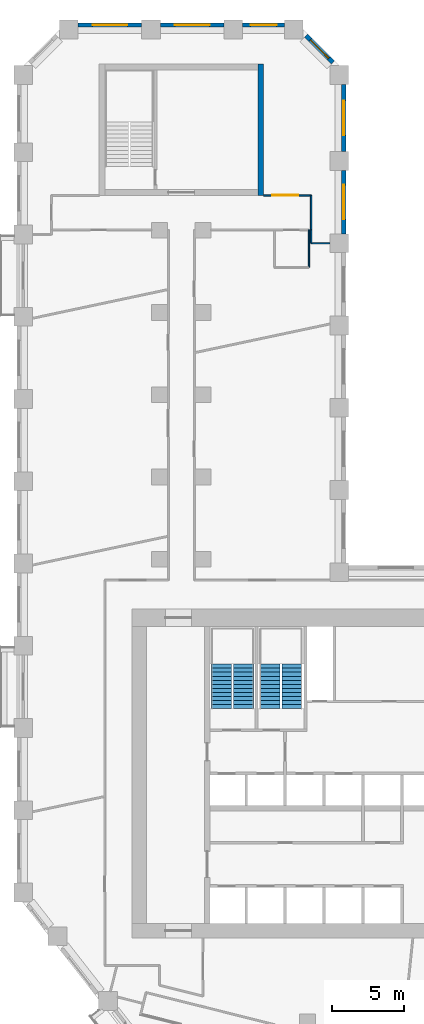
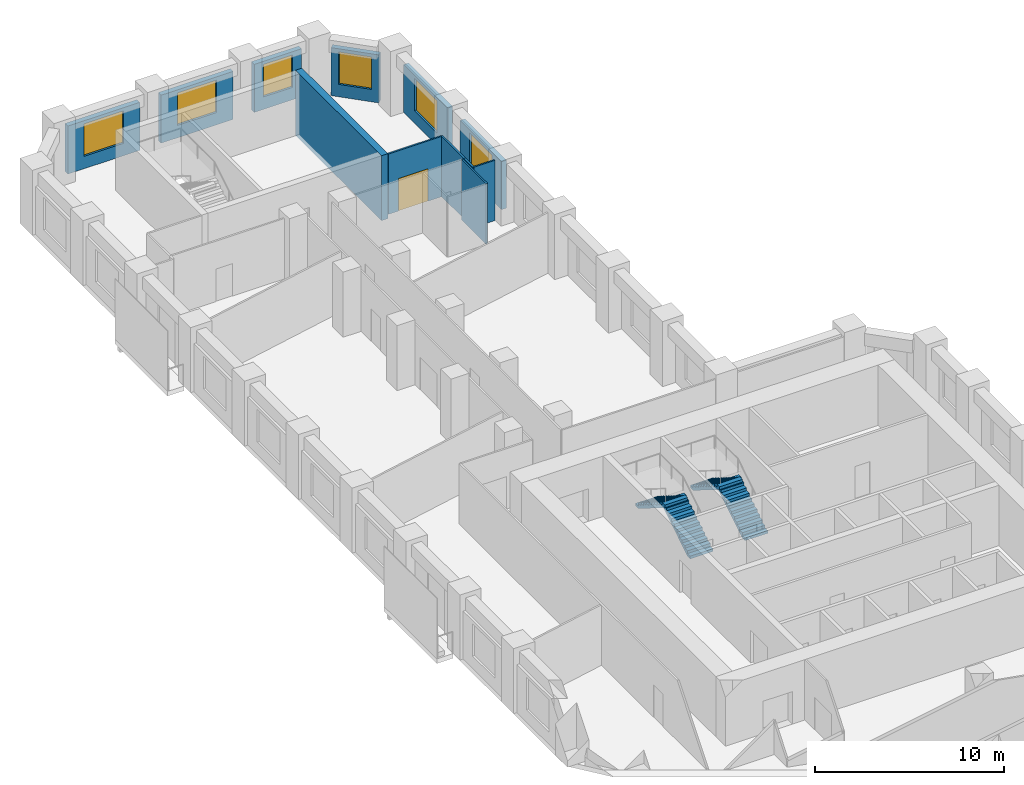
# One storey, part 9 of 11: 12 walls, 6 windows, 4 stair flights, 1 door, 7 openings, 2 elements without a shape of their own.
"""IFC4 building model written with IfcOpenShell, lengths in metres."""

from ifc_helpers import new_model, si_unit, direction, frame, frame_2d, origin, place, context, subcontext, project, spatial, polyline, rectangle, outline, extrude, material, layer, layer_set, type_object, element, fill, aggregate, save


model = new_model("IFC4")

# Units and contexts
model_context = context("Model", 3, precision=1e-05, world=origin(), true_north=direction((0.0, 1.0)))
body_context = subcontext(model_context, "Body", "Model", "MODEL_VIEW")
ifc_project = project(units=[si_unit("LENGTHUNIT", "METRE"), si_unit("AREAUNIT", "SQUARE_METRE"), si_unit("VOLUMEUNIT", "CUBIC_METRE"), si_unit("PLANEANGLEUNIT", "RADIAN"), si_unit("MASSUNIT", "GRAM", prefix="KILO")], contexts=[model_context])

# Site, building, storey
site_placement = place(None, origin())
site = spatial("IfcSite", under=ifc_project, at=site_placement, CompositionType="ELEMENT")
building_placement = place(site_placement, origin())
building = spatial("IfcBuilding", under=site, at=building_placement, Name="Meshkara Civic Tower", CompositionType="ELEMENT")
storey_placement = place(building_placement, frame((0.0, 0.0, 139.199951171875)))
storey = spatial("IfcBuildingStorey", under=building, at=storey_placement, Name="L31", CompositionType="ELEMENT", Elevation=139.199951171875)

# Wall
ifc_material_1 = material(Name="Corridor wall 100")
ifc_layer_1 = layer(ifc_material_1, 0.10009765625)
ifc_layer_set_1 = layer_set([ifc_layer_1], Name="Corridor wall 100")
wall_type_1 = type_object("IfcWallType", Name="Corridor wall 100", PredefinedType="PARTITIONING", material=ifc_layer_set_1)
wall_1_placement = place(storey_placement, frame((20.39990234375, 63.169921875, 0.0), z_axis=(0.0, 0.0, 1.0), x_axis=(0.0, 1.0, 0.0)))
element("IfcWall", 1, at=wall_1_placement, inside=storey, type_object=wall_type_1, Name="L31-W016", PredefinedType="PARTITIONING", context=body_context, shape_type="SweptSolid", body=[
    extrude(rectangle(XDim=2.400146484375, YDim=0.10009765625, at=frame_2d((1.2001953125, 0.0))), origin(), (0.0, 0.0, 1.0), 3.900146484375),
])

# Wall, opening, door
wall_2_placement = place(storey_placement, frame((20.39990234375, 65.570068359375, 0.0), z_axis=(0.0, 0.0, 1.0), x_axis=(-1.0, 0.0, 0.0)))
wall_2 = element("IfcWall", 2, at=wall_2_placement, inside=storey, type_object=wall_type_1, Name="L31-W017", PredefinedType="PARTITIONING", context=body_context, shape_type="SweptSolid", body=[
    extrude(rectangle(XDim=3.2998046875, YDim=0.10009765625, at=frame_2d((1.64990234375, 0.0))), origin(), (0.0, 0.0, 1.0), 3.900146484375),
])
opening_1_placement = place(wall_2_placement, frame((0.8798828125, 0.0, 0.0)))
opening_1 = element("IfcOpeningElement", 3, at=opening_1_placement, cuts=wall_2, Name="Opening L31-D024", PredefinedType="OPENING", context=body_context, shape_type="SweptSolid", body=[
    extrude(rectangle(XDim=1.800048828125, YDim=2.10009765625, at=frame_2d((0.89990234375, 1.050048828125))), frame((0.0, 0.06005859375, 0.0), z_axis=(0.0, -1.0, 0.0), x_axis=(1.0, 0.0, 0.0)), (0.0, 0.0, 1.0), 0.1201171875),
])
ifc_material_2 = material(Name="Door pair 1800 x 2100")
door_type = type_object("IfcDoorType", Name="Door pair 1800 x 2100", OperationType="SINGLE_SWING_LEFT", PredefinedType="DOOR", material=ifc_material_2)
door_placement = place(opening_1_placement, origin())
door = element("IfcDoor", 4, at=door_placement, inside=storey, type_object=door_type, Name="L31-D024", OperationType="DOUBLE_DOOR_SINGLE_SWING", OverallHeight=2.10009765625, OverallWidth=1.800048828125, PredefinedType="DOOR", context=body_context, shape_type="SweptSolid", body=[
    extrude(rectangle(XDim=1.800048828125, YDim=2.10009765625, at=frame_2d((0.89990234375, 1.050048828125))), frame((0.0, 0.02490234375, 0.0), z_axis=(0.0, -1.0, 0.0), x_axis=(1.0, 0.0, 0.0)), (0.0, 0.0, 1.0), 0.050048828125),
])
fill(opening_1, door)

# Wall, opening, window
ifc_material_3 = material(Name="Insulated infill panel with bronze anodised aluminium cladding", Category="aluminium")
ifc_layer_2 = layer(ifc_material_3, 0.300048828125)
ifc_layer_set_2 = layer_set([ifc_layer_2], Name="EXTERNAL INFILL WALL 300")
wall_type_2 = type_object("IfcWallType", Name="EXTERNAL INFILL WALL 300", PredefinedType="SOLIDWALL", material=ifc_layer_set_2)
wall_3_placement = place(storey_placement, frame((22.64990234375, 62.89990234375, 0.0), z_axis=(0.0, 0.0, 1.0), x_axis=(0.0, 1.0, 0.0)))
wall_3 = element("IfcWall", 5, at=wall_3_placement, inside=storey, type_object=wall_type_2, Name="External wall", PredefinedType="SOLIDWALL", context=body_context, shape_type="SweptSolid", body=[
    extrude(rectangle(XDim=4.400146484375, YDim=0.300048828125, at=frame_2d((2.2001953125, 0.0))), origin(), (0.0, 0.0, 1.0), 3.10009765625),
])
opening_2_placement = place(wall_3_placement, frame((1.0, 0.0, 0.800048828125)))
opening_2 = element("IfcOpeningElement", 6, at=opening_2_placement, cuts=wall_3, Name="Opening W7", PredefinedType="OPENING", context=body_context, shape_type="SweptSolid", body=[
    extrude(rectangle(XDim=2.39990234375, YDim=2.10009765625, at=frame_2d((1.199951171875, 1.050048828125))), frame((0.0, 0.159912109375, 0.0), z_axis=(0.0, -1.0, 0.0), x_axis=(1.0, 0.0, 0.0)), (0.0, 0.0, 1.0), 0.320068359375),
])
ifc_material_4 = material(Name="Tinted double glazing", Category="glass")
window_type_1 = type_object("IfcWindowType", Name="WINDOW 2400x2100", PartitioningType="DOUBLE_PANEL_VERTICAL", PredefinedType="WINDOW", material=ifc_material_4)
window_1_placement = place(opening_2_placement, origin())
window_1 = element("IfcWindow", 7, at=window_1_placement, inside=storey, type_object=window_type_1, Name="Window", OverallHeight=2.10009765625, OverallWidth=2.39990234375, PartitioningType="DOUBLE_PANEL_VERTICAL", PredefinedType="WINDOW", context=body_context, shape_type="SweptSolid", body=[
    extrude(rectangle(XDim=2.39990234375, YDim=2.10009765625, at=frame_2d((1.199951171875, 1.050048828125))), frame((0.0, 0.030029296875, 0.0), z_axis=(0.0, -1.0, 0.0), x_axis=(1.0, 0.0, 0.0)), (0.0, 0.0, 1.0), 0.06005859375),
])
fill(opening_2, window_1)

wall_4_placement = place(storey_placement, frame((22.64990234375, 68.60009765625, 0.0), z_axis=(0.0, 0.0, 1.0), x_axis=(0.0, 1.0, 0.0)))
wall_4 = element("IfcWall", 8, at=wall_4_placement, inside=storey, type_object=wall_type_2, Name="External wall", PredefinedType="SOLIDWALL", context=body_context, shape_type="SweptSolid", body=[
    extrude(rectangle(XDim=4.663818359375, YDim=0.300048828125, at=frame_2d((2.33203125, 0.0))), origin(), (0.0, 0.0, 1.0), 3.10009765625),
])
opening_3_placement = place(wall_4_placement, frame((1.132080078125, 0.0, 0.800048828125)))
opening_3 = element("IfcOpeningElement", 9, at=opening_3_placement, cuts=wall_4, Name="Opening W7", PredefinedType="OPENING", context=body_context, shape_type="SweptSolid", body=[
    extrude(rectangle(XDim=2.39990234375, YDim=2.10009765625, at=frame_2d((1.199951171875, 1.050048828125))), frame((0.0, 0.159912109375, 0.0), z_axis=(0.0, -1.0, 0.0), x_axis=(1.0, 0.0, 0.0)), (0.0, 0.0, 1.0), 0.320068359375),
])
window_2_placement = place(opening_3_placement, origin())
window_2 = element("IfcWindow", 10, at=window_2_placement, inside=storey, type_object=window_type_1, Name="Window", OverallHeight=2.10009765625, OverallWidth=2.39990234375, PartitioningType="DOUBLE_PANEL_VERTICAL", PredefinedType="WINDOW", context=body_context, shape_type="SweptSolid", body=[
    extrude(rectangle(XDim=2.39990234375, YDim=2.10009765625, at=frame_2d((1.199951171875, 1.050048828125))), frame((0.0, 0.030029296875, 0.0), z_axis=(0.0, -1.0, 0.0), x_axis=(1.0, 0.0, 0.0)), (0.0, 0.0, 1.0), 0.06005859375),
])
fill(opening_3, window_2)

wall_5_placement = place(storey_placement, frame((21.912109375, 74.77587890625, 0.0), z_axis=(0.0, 0.0, 1.0), x_axis=(-0.707106781187, 0.707106781187, 0.0)))
wall_5 = element("IfcWall", 11, at=wall_5_placement, inside=storey, type_object=wall_type_2, Name="External wall", PredefinedType="SOLIDWALL", context=body_context, shape_type="SweptSolid", body=[
    extrude(rectangle(XDim=2.625, YDim=0.300048828125, at=frame_2d((1.3125, 0.0))), origin(), (0.0, 0.0, 1.0), 3.10009765625),
])
opening_4_placement = place(wall_5_placement, frame((0.412109375, 0.0, 0.800048828125)))
opening_4 = element("IfcOpeningElement", 12, at=opening_4_placement, cuts=wall_5, Name="Opening W9", PredefinedType="OPENING", context=body_context, shape_type="SweptSolid", body=[
    extrude(rectangle(XDim=1.800048828125, YDim=2.10009765625, at=frame_2d((0.89990234375, 1.050048828125))), frame((0.0, 0.159912109375, 0.0), z_axis=(0.0, -1.0, 0.0), x_axis=(1.0, 0.0, 0.0)), (0.0, 0.0, 1.0), 0.320068359375),
])
ifc_material_5 = material(Name="Tinted double glazing", Category="glass")
window_type_2 = type_object("IfcWindowType", Name="WINDOW 1800x2100", PartitioningType="DOUBLE_PANEL_VERTICAL", PredefinedType="WINDOW", material=ifc_material_5)
window_3_placement = place(opening_4_placement, origin())
window_3 = element("IfcWindow", 13, at=window_3_placement, inside=storey, type_object=window_type_2, Name="Window", OverallHeight=2.10009765625, OverallWidth=1.800048828125, PartitioningType="DOUBLE_PANEL_VERTICAL", PredefinedType="WINDOW", context=body_context, shape_type="SweptSolid", body=[
    extrude(rectangle(XDim=1.800048828125, YDim=2.10009765625, at=frame_2d((0.89990234375, 1.050048828125))), frame((0.0, 0.030029296875, 0.0), z_axis=(0.0, -1.0, 0.0), x_axis=(1.0, 0.0, 0.0)), (0.0, 0.0, 1.0), 0.06005859375),
])
fill(opening_4, window_3)

wall_6_placement = place(storey_placement, frame((18.5439453125, 77.3701171875, 0.0), z_axis=(0.0, 0.0, 1.0), x_axis=(-1.0, 0.0, 0.0)))
wall_6 = element("IfcWall", 14, at=wall_6_placement, inside=storey, type_object=wall_type_2, Name="External wall", PredefinedType="SOLIDWALL", context=body_context, shape_type="SweptSolid", body=[
    extrude(rectangle(XDim=2.887939453125, YDim=0.300048828125, at=frame_2d((1.44384765625, 0.0))), origin(), (0.0, 0.0, 1.0), 3.10009765625),
])
opening_5_placement = place(wall_6_placement, frame((0.5439453125, 0.0, 0.800048828125)))
opening_5 = element("IfcOpeningElement", 15, at=opening_5_placement, cuts=wall_6, Name="Opening W9", PredefinedType="OPENING", context=body_context, shape_type="SweptSolid", body=[
    extrude(rectangle(XDim=1.800048828125, YDim=2.10009765625, at=frame_2d((0.89990234375, 1.050048828125))), frame((0.0, 0.159912109375, 0.0), z_axis=(0.0, -1.0, 0.0), x_axis=(1.0, 0.0, 0.0)), (0.0, 0.0, 1.0), 0.320068359375),
])
window_4_placement = place(opening_5_placement, origin())
window_4 = element("IfcWindow", 16, at=window_4_placement, inside=storey, type_object=window_type_2, Name="Window", OverallHeight=2.10009765625, OverallWidth=1.800048828125, PartitioningType="DOUBLE_PANEL_VERTICAL", PredefinedType="WINDOW", context=body_context, shape_type="SweptSolid", body=[
    extrude(rectangle(XDim=1.800048828125, YDim=2.10009765625, at=frame_2d((0.89990234375, 1.050048828125))), frame((0.0, 0.030029296875, 0.0), z_axis=(0.0, -1.0, 0.0), x_axis=(1.0, 0.0, 0.0)), (0.0, 0.0, 1.0), 0.06005859375),
])
fill(opening_5, window_4)

wall_7_placement = place(storey_placement, frame((14.35595703125, 77.3701171875, 0.0), z_axis=(0.0, 0.0, 1.0), x_axis=(-1.0, 0.0, 0.0)))
wall_7 = element("IfcWall", 17, at=wall_7_placement, inside=storey, type_object=wall_type_2, Name="External wall", PredefinedType="SOLIDWALL", context=body_context, shape_type="SweptSolid", body=[
    extrude(rectangle(XDim=4.39990234375, YDim=0.300048828125, at=frame_2d((2.199951171875, 0.0))), origin(), (0.0, 0.0, 1.0), 3.10009765625),
])
opening_6_placement = place(wall_7_placement, frame((1.0, 0.0, 0.800048828125)))
opening_6 = element("IfcOpeningElement", 18, at=opening_6_placement, cuts=wall_7, Name="Opening W7", PredefinedType="OPENING", context=body_context, shape_type="SweptSolid", body=[
    extrude(rectangle(XDim=2.39990234375, YDim=2.10009765625, at=frame_2d((1.199951171875, 1.050048828125))), frame((0.0, 0.159912109375, 0.0), z_axis=(0.0, -1.0, 0.0), x_axis=(1.0, 0.0, 0.0)), (0.0, 0.0, 1.0), 0.320068359375),
])
window_5_placement = place(opening_6_placement, origin())
window_5 = element("IfcWindow", 19, at=window_5_placement, inside=storey, type_object=window_type_1, Name="Window", OverallHeight=2.10009765625, OverallWidth=2.39990234375, PartitioningType="DOUBLE_PANEL_VERTICAL", PredefinedType="WINDOW", context=body_context, shape_type="SweptSolid", body=[
    extrude(rectangle(XDim=2.39990234375, YDim=2.10009765625, at=frame_2d((1.199951171875, 1.050048828125))), frame((0.0, 0.030029296875, 0.0), z_axis=(0.0, -1.0, 0.0), x_axis=(1.0, 0.0, 0.0)), (0.0, 0.0, 1.0), 0.06005859375),
])
fill(opening_6, window_5)

wall_8_placement = place(storey_placement, frame((8.656005859375, 77.3701171875, 0.0), z_axis=(0.0, 0.0, 1.0), x_axis=(-1.0, 0.0, 0.0)))
wall_8 = element("IfcWall", 20, at=wall_8_placement, inside=storey, type_object=wall_type_2, Name="External wall", PredefinedType="SOLIDWALL", context=body_context, shape_type="SweptSolid", body=[
    extrude(rectangle(XDim=4.39990234375, YDim=0.300048828125, at=frame_2d((2.199951171875, 0.0))), origin(), (0.0, 0.0, 1.0), 3.10009765625),
])
opening_7_placement = place(wall_8_placement, frame((1.0, 0.0, 0.800048828125)))
opening_7 = element("IfcOpeningElement", 21, at=opening_7_placement, cuts=wall_8, Name="Opening W7", PredefinedType="OPENING", context=body_context, shape_type="SweptSolid", body=[
    extrude(rectangle(XDim=2.39990234375, YDim=2.10009765625, at=frame_2d((1.199951171875, 1.050048828125))), frame((0.0, 0.159912109375, 0.0), z_axis=(0.0, -1.0, 0.0), x_axis=(1.0, 0.0, 0.0)), (0.0, 0.0, 1.0), 0.320068359375),
])
window_6_placement = place(opening_7_placement, origin())
window_6 = element("IfcWindow", 22, at=window_6_placement, inside=storey, type_object=window_type_1, Name="Window", OverallHeight=2.10009765625, OverallWidth=2.39990234375, PartitioningType="DOUBLE_PANEL_VERTICAL", PredefinedType="WINDOW", context=body_context, shape_type="SweptSolid", body=[
    extrude(rectangle(XDim=2.39990234375, YDim=2.10009765625, at=frame_2d((1.199951171875, 1.050048828125))), frame((0.0, 0.030029296875, 0.0), z_axis=(0.0, -1.0, 0.0), x_axis=(1.0, 0.0, 0.0)), (0.0, 0.0, 1.0), 0.06005859375),
])
fill(opening_7, window_6)

# Walls
ifc_material_6 = material(Name="Concrete C70", Category="concrete")
ifc_layer_3 = layer(ifc_material_6, 0.39990234375)
ifc_layer_set_3 = layer_set([ifc_layer_3], Name="End core ring wall 400 C70")
wall_type_3 = type_object("IfcWallType", Name="End core ring wall 400 C70", PredefinedType="SHEAR", material=ifc_layer_set_3)
wall_9_placement = place(storey_placement, frame((16.89990234375, 65.570068359375, -0.300048828125), z_axis=(0.0, 0.0, 1.0), x_axis=(0.0, 1.0, 0.0)))
element("IfcWall", 23, at=wall_9_placement, inside=storey, type_object=wall_type_3, Name="L31-C026", PredefinedType="SHEAR", context=body_context, shape_type="SweptSolid", body=[
    extrude(rectangle(XDim=9.099853515625, YDim=0.39990234375, at=frame_2d((4.5498046875, 0.0))), origin(), (0.0, 0.0, 1.0), 4.2001953125),
])
ifc_material_7 = material(Name="Partition 100")
ifc_layer_4 = layer(ifc_material_7, 0.10009765625)
ifc_layer_set_4 = layer_set([ifc_layer_4], Name="Partition 100")
wall_type_4 = type_object("IfcWallType", Name="Partition 100", PredefinedType="PARTITIONING", material=ifc_layer_set_4)
wall_10_placement = place(storey_placement, frame((20.25, 63.169921875, 0.0), z_axis=(0.0, 0.0, 1.0), x_axis=(0.0, -1.0, 0.0)))
element("IfcWall", 24, at=wall_10_placement, inside=storey, type_object=wall_type_4, Name="L31-W040", PredefinedType="PARTITIONING", context=body_context, shape_type="SweptSolid", body=[
    extrude(rectangle(XDim=2.599853515625, YDim=0.10009765625, at=frame_2d((1.2998046875, 0.0))), origin(), (0.0, 0.0, 1.0), 3.900146484375),
])
wall_11_placement = place(storey_placement, frame((20.39990234375, 62.25, 0.0), z_axis=(0.0, 0.0, 1.0), x_axis=(0.0, 1.0, 0.0)))
element("IfcWall", 25, at=wall_11_placement, inside=storey, type_object=wall_type_4, Name="L31-W041", PredefinedType="PARTITIONING", context=body_context, shape_type="SweptSolid", body=[
    extrude(rectangle(XDim=0.924072265625, YDim=0.10009765625, at=frame_2d((0.4619140625, 0.0))), origin(), (0.0, 0.0, 1.0), 3.900146484375),
])
wall_12_placement = place(storey_placement, frame((21.699951171875, 62.25, 0.0), z_axis=(0.0, 0.0, 1.0), x_axis=(-1.0, 0.0, 0.0)))
element("IfcWall", 26, at=wall_12_placement, inside=storey, type_object=wall_type_4, Name="L31-W043", PredefinedType="PARTITIONING", context=body_context, shape_type="SweptSolid", body=[
    extrude(rectangle(XDim=1.300048828125, YDim=0.10009765625, at=frame_2d((0.64990234375, 0.0))), origin(), (0.0, 0.0, 1.0), 3.900146484375),
])

# Stair, stair flights
ifc_material_8 = material(Name="Precast concrete C40/50", Category="concrete")
stair_type = type_object("IfcStairType", Name="Exit stair half-turn 24 risers precast", PredefinedType="HALF_TURN_STAIR", material=ifc_material_8)
stair_1_placement = place(storey_placement, origin())
stair_1 = element("IfcStair", 27, at=stair_1_placement, inside=storey, type_object=stair_type, Name="L31 exit stair 1", PredefinedType="HALF_TURN_STAIR")
ifc_material_9 = material(Name="Precast concrete C40/50", Category="concrete")
stair_flight_type = type_object("IfcStairFlightType", Name="Exit stair flight 12 risers precast", PredefinedType="STRAIGHT", material=ifc_material_9)
stair_flight_1_placement = place(storey_placement, frame((15.72509765625, 30.0, 0.0), z_axis=(0.0, 0.0, 1.0), x_axis=(0.0, 1.0, 0.0)))
stair_flight_1 = element("IfcStairFlight", 28, at=stair_flight_1_placement, type_object=stair_flight_type, Name="ST1 flight 1", NumberOfRisers=12, NumberOfTreads=11, PredefinedType="STRAIGHT", RiserHeight=0.175, TreadLength=0.28, context=body_context, shape_type="SweptSolid", body=[
    extrude(outline(polyline([(0.0, 0.0), (0.0, 0.175048828125), (0.280029296875, 0.175048828125), (0.280029296875, 0.35009765625), (0.56005859375, 0.35009765625), (0.56005859375, 0.52490234375), (0.840087890625, 0.52490234375), (0.840087890625, 0.699951171875), (1.1201171875, 0.699951171875), (1.1201171875, 0.875), (1.39990234375, 0.875), (1.39990234375, 1.050048828125), (1.679931640625, 1.050048828125), (1.679931640625, 1.22509765625), (1.9599609375, 1.22509765625), (1.9599609375, 1.39990234375), (2.239990234375, 1.39990234375), (2.239990234375, 1.574951171875), (2.52001953125, 1.574951171875), (2.52001953125, 1.75), (2.800048828125, 1.75), (2.800048828125, 1.925048828125), (3.080078125, 1.925048828125), (3.080078125, 2.10009765625), (3.080078125, 1.748291015625), (0.28271484375, 0.0), (0.0, 0.0)])), frame((0.0, 0.699951171875, 0.0), z_axis=(0.0, -1.0, 0.0), x_axis=(1.0, 0.0, 0.0)), (0.0, 0.0, 1.0), 1.39990234375),
])
stair_flight_2_placement = place(storey_placement, frame((14.175048828125, 33.080078125, 2.10009765625), z_axis=(0.0, 0.0, 1.0), x_axis=(0.0, -1.0, 0.0)))
stair_flight_2 = element("IfcStairFlight", 29, at=stair_flight_2_placement, type_object=stair_flight_type, Name="ST1 flight 2", NumberOfRisers=12, NumberOfTreads=11, PredefinedType="STRAIGHT", RiserHeight=0.175, TreadLength=0.28, context=body_context, shape_type="SweptSolid", body=[
    extrude(outline(polyline([(0.0, 0.0), (0.0, 0.175048828125), (0.280029296875, 0.175048828125), (0.280029296875, 0.35009765625), (0.56005859375, 0.35009765625), (0.56005859375, 0.52490234375), (0.840087890625, 0.52490234375), (0.840087890625, 0.699951171875), (1.1201171875, 0.699951171875), (1.1201171875, 0.875), (1.39990234375, 0.875), (1.39990234375, 1.050048828125), (1.679931640625, 1.050048828125), (1.679931640625, 1.22509765625), (1.9599609375, 1.22509765625), (1.9599609375, 1.39990234375), (2.239990234375, 1.39990234375), (2.239990234375, 1.574951171875), (2.52001953125, 1.574951171875), (2.52001953125, 1.75), (2.800048828125, 1.75), (2.800048828125, 1.925048828125), (3.080078125, 1.925048828125), (3.080078125, 2.10009765625), (3.080078125, 1.748291015625), (0.28271484375, 0.0), (0.0, 0.0)])), frame((0.0, 0.699951171875, 0.0), z_axis=(0.0, -1.0, 0.0), x_axis=(1.0, 0.0, 0.0)), (0.0, 0.0, 1.0), 1.39990234375),
])
aggregate(stair_1, [stair_flight_1, stair_flight_2])

stair_2_placement = place(storey_placement, origin())
stair_2 = element("IfcStair", 30, at=stair_2_placement, inside=storey, type_object=stair_type, Name="L31 exit stair 2", PredefinedType="HALF_TURN_STAIR")
stair_flight_3_placement = place(storey_placement, frame((19.074951171875, 30.0, 0.0), z_axis=(0.0, 0.0, 1.0), x_axis=(0.0, 1.0, 0.0)))
stair_flight_3 = element("IfcStairFlight", 31, at=stair_flight_3_placement, type_object=stair_flight_type, Name="ST2 flight 1", NumberOfRisers=12, NumberOfTreads=11, PredefinedType="STRAIGHT", RiserHeight=0.175, TreadLength=0.28, context=body_context, shape_type="SweptSolid", body=[
    extrude(outline(polyline([(0.0, 0.0), (0.0, 0.175048828125), (0.280029296875, 0.175048828125), (0.280029296875, 0.35009765625), (0.56005859375, 0.35009765625), (0.56005859375, 0.52490234375), (0.840087890625, 0.52490234375), (0.840087890625, 0.699951171875), (1.1201171875, 0.699951171875), (1.1201171875, 0.875), (1.39990234375, 0.875), (1.39990234375, 1.050048828125), (1.679931640625, 1.050048828125), (1.679931640625, 1.22509765625), (1.9599609375, 1.22509765625), (1.9599609375, 1.39990234375), (2.239990234375, 1.39990234375), (2.239990234375, 1.574951171875), (2.52001953125, 1.574951171875), (2.52001953125, 1.75), (2.800048828125, 1.75), (2.800048828125, 1.925048828125), (3.080078125, 1.925048828125), (3.080078125, 2.10009765625), (3.080078125, 1.748291015625), (0.28271484375, 0.0), (0.0, 0.0)])), frame((0.0, 0.699951171875, 0.0), z_axis=(0.0, -1.0, 0.0), x_axis=(1.0, 0.0, 0.0)), (0.0, 0.0, 1.0), 1.39990234375),
])
stair_flight_4_placement = place(storey_placement, frame((17.52490234375, 33.080078125, 2.10009765625), z_axis=(0.0, 0.0, 1.0), x_axis=(0.0, -1.0, 0.0)))
stair_flight_4 = element("IfcStairFlight", 32, at=stair_flight_4_placement, type_object=stair_flight_type, Name="ST2 flight 2", NumberOfRisers=12, NumberOfTreads=11, PredefinedType="STRAIGHT", RiserHeight=0.175, TreadLength=0.28, context=body_context, shape_type="SweptSolid", body=[
    extrude(outline(polyline([(0.0, 0.0), (0.0, 0.175048828125), (0.280029296875, 0.175048828125), (0.280029296875, 0.35009765625), (0.56005859375, 0.35009765625), (0.56005859375, 0.52490234375), (0.840087890625, 0.52490234375), (0.840087890625, 0.699951171875), (1.1201171875, 0.699951171875), (1.1201171875, 0.875), (1.39990234375, 0.875), (1.39990234375, 1.050048828125), (1.679931640625, 1.050048828125), (1.679931640625, 1.22509765625), (1.9599609375, 1.22509765625), (1.9599609375, 1.39990234375), (2.239990234375, 1.39990234375), (2.239990234375, 1.574951171875), (2.52001953125, 1.574951171875), (2.52001953125, 1.75), (2.800048828125, 1.75), (2.800048828125, 1.925048828125), (3.080078125, 1.925048828125), (3.080078125, 2.10009765625), (3.080078125, 1.748291015625), (0.28271484375, 0.0), (0.0, 0.0)])), frame((0.0, 0.699951171875, 0.0), z_axis=(0.0, -1.0, 0.0), x_axis=(1.0, 0.0, 0.0)), (0.0, 0.0, 1.0), 1.39990234375),
])
aggregate(stair_2, [stair_flight_3, stair_flight_4])

save(model, "model.ifc")
